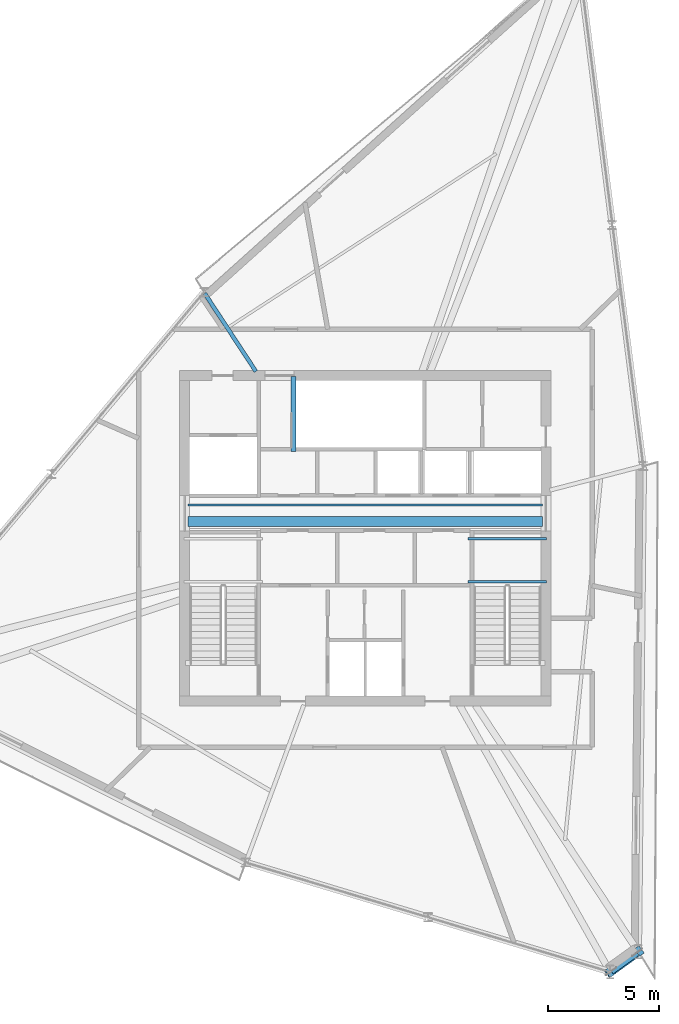
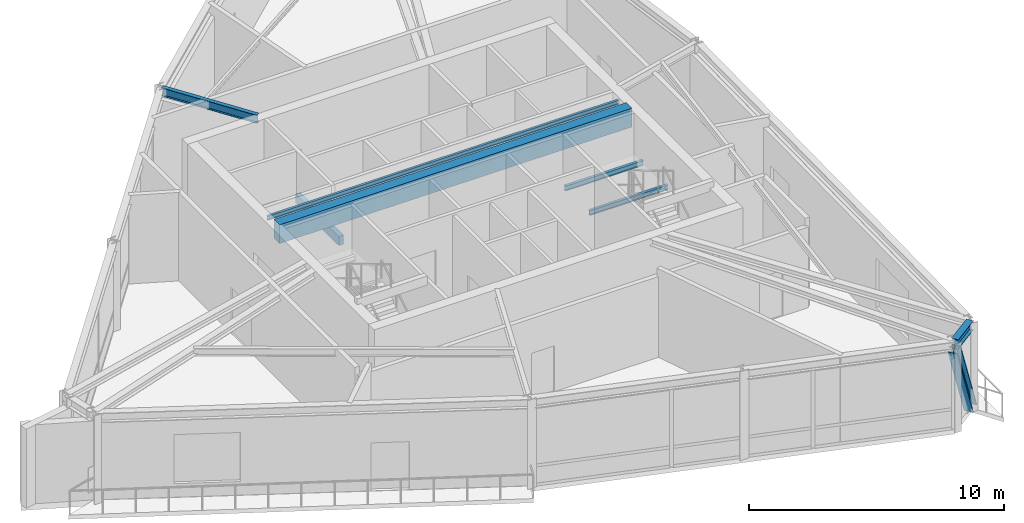
# One storey, part 8 of 23: 7 beams, 1 member.
"""IFC4 building model written with IfcOpenShell, lengths in metres."""

from ifc_helpers import new_model, si_unit, direction, frame, origin, origin_2d, place, context, subcontext, project, spatial, rectangle, i_section, extrude, source, transform, mapped, material, material_profile, profile_set, type_object, element, save


model = new_model("IFC4")

# Units and contexts
model_context = context("Model", 3, precision=1e-05, world=origin(), true_north=direction((0.0, 1.0)))
body_context = subcontext(model_context, "Body", "Model", "MODEL_VIEW")
ifc_project = project(units=[si_unit("LENGTHUNIT", "METRE"), si_unit("AREAUNIT", "SQUARE_METRE"), si_unit("VOLUMEUNIT", "CUBIC_METRE"), si_unit("PLANEANGLEUNIT", "RADIAN"), si_unit("MASSUNIT", "GRAM", prefix="KILO")], contexts=[model_context])

# Site, building, storey
site_placement = place(None, origin())
site = spatial("IfcSite", under=ifc_project, at=site_placement, CompositionType="ELEMENT")
building_placement = place(site_placement, origin())
building = spatial("IfcBuilding", under=site, at=building_placement, Name="Olszyna Solenne Hotel", CompositionType="ELEMENT")
storey_placement = place(building_placement, frame((0.0, 0.0, 290.5)))
storey = spatial("IfcBuildingStorey", under=building, at=storey_placement, Name="L77", CompositionType="ELEMENT", Elevation=290.5)

# Beams
ifc_material_1 = material(Name="Steel S355J2", Category="steel")
ifc_material_profile_1 = material_profile(ifc_material_1, i_section(OverallWidth=0.300048828125, OverallDepth=0.449951171875, WebThickness=0.013916015625, FlangeThickness=0.02587890625, at=origin_2d()), Name="HEB 450", Category="load-bearing")
ifc_profile_set_1 = profile_set([ifc_material_profile_1], Name="Steel S355J2")
beam_type_1 = type_object("IfcBeamType", Name="BM-S4", PredefinedType="BEAM", material=ifc_profile_set_1)
shared_shape_1 = source(origin(), body_context, "Body", "SweptSolid", [
    extrude(i_section(OverallWidth=0.300048828125, OverallDepth=0.449951171875, WebThickness=0.013916015625, FlangeThickness=0.02587890625, at=origin_2d()), origin(), (0.0, 0.0, 1.0), 1.43603515625),
])
beam_1_placement = place(storey_placement, frame((49.0654296875, 7.121826171875, 4.014892578125), z_axis=(0.811060086554, 0.584962850101, 0.0), x_axis=(-0.584962850101, 0.811060086554, 0.0)))
element("IfcBeam", 1, at=beam_1_placement, inside=storey, type_object=beam_type_1, Name="Perimeter spandrel beam BM-S4 B-L77-2260", PredefinedType="BEAM", context=body_context, shape_type="MappedRepresentation", body=[
    mapped(shared_shape_1, transform((0.0, 0.0, 0.0), x_axis=(1.0, 0.0, 0.0), y_axis=(0.0, 1.0, 0.0), z_axis=(0.0, 0.0, 1.0), scale=1.0)),
])
ifc_material_profile_2 = material_profile(ifc_material_1, i_section(OverallWidth=0.179931640625, OverallDepth=0.39990234375, WebThickness=0.008544921875, FlangeThickness=0.013427734375, at=origin_2d()), Name="IPE 400", Category="load-bearing")
ifc_profile_set_2 = profile_set([ifc_material_profile_2], Name="Steel S355J2")
beam_type_2 = type_object("IfcBeamType", Name="BM-F5", PredefinedType="BEAM", material=ifc_profile_set_2)
shared_shape_2 = source(origin(), body_context, "Body", "SweptSolid", [
    extrude(i_section(OverallWidth=0.179931640625, OverallDepth=0.39990234375, WebThickness=0.008544921875, FlangeThickness=0.013427734375, at=origin_2d()), origin(), (0.0, 0.0, 1.0), 4.197509765625),
])
beam_2_placement = place(storey_placement, frame((30.77294921875, 37.617919921875, 4.0400390625), z_axis=(0.548483645878, -0.836161282412, 0.0), x_axis=(0.836161282412, 0.548483645878, 0.0)))
element("IfcBeam", 2, at=beam_2_placement, inside=storey, type_object=beam_type_2, Name="Radial floor girder BM-F5 B-L77-2266", PredefinedType="BEAM", context=body_context, shape_type="MappedRepresentation", body=[
    mapped(shared_shape_2, transform((0.0, 0.0, 0.0), x_axis=(1.0, 0.0, 0.0), y_axis=(0.0, 1.0, 0.0), z_axis=(0.0, 0.0, 1.0), scale=1.0)),
])

# Member
ifc_material_2 = material(Name="Steel S460M", Category="steel")
ifc_material_profile_3 = material_profile(ifc_material_2, i_section(OverallWidth=0.40087890625, OverallDepth=0.39892578125, WebThickness=0.02197265625, FlangeThickness=0.034423828125, at=origin_2d()), Name="HD 400x314", Category="load-bearing")
ifc_profile_set_3 = profile_set([ifc_material_profile_3], Name="Steel S460M")
member_type = type_object("IfcMemberType", Name="BR-T3", PredefinedType="BRACE", material=ifc_profile_set_3)
shared_shape_3 = source(origin(), body_context, "Body", "SweptSolid", [
    extrude(i_section(OverallWidth=0.40087890625, OverallDepth=0.39892578125, WebThickness=0.02197265625, FlangeThickness=0.034423828125, at=origin_2d()), origin(), (0.0, 0.0, 1.0), 4.09619140625),
])
member_placement = place(storey_placement, frame((50.27880859375, 7.9970703125, 0.010009765625), z_axis=(-0.308089858938, -0.222201391782, 0.925044420723), x_axis=(0.584957636195, -0.811063846967, 0.0)))
element("IfcMember", 3, at=member_placement, inside=storey, type_object=member_type, Name="Perimeter braced-tube diagonal BR-T3 BR-L77-3", PredefinedType="BRACE", context=body_context, shape_type="MappedRepresentation", body=[
    mapped(shared_shape_3, transform((0.0, 0.0, 0.0), x_axis=(1.0, 0.0, 0.0), y_axis=(0.0, 1.0, 0.0), z_axis=(0.0, 0.0, 1.0), scale=1.0)),
])

# Beams
ifc_material_3 = material(Name="Concrete C50/60", Category="concrete")
ifc_material_profile_4 = material_profile(ifc_material_3, rectangle(XDim=0.449951171875, YDim=0.89990234375, at=origin_2d()), Name="RC 900x450", Category="load-bearing")
ifc_profile_set_4 = profile_set([ifc_material_profile_4], Name="Concrete C50/60")
beam_type_3 = type_object("IfcBeamType", Name="CB-01", PredefinedType="LINTEL", material=ifc_profile_set_4)
shared_shape_4 = source(origin(), body_context, "Body", "SweptSolid", [
    extrude(rectangle(XDim=0.449951171875, YDim=0.89990234375, at=origin_2d()), origin(), (0.0, 0.0, 1.0), 15.9599609375),
])
beam_3_placement = place(storey_placement, frame((30.02001953125, 27.35009765625, 3.7900390625), z_axis=(1.0, 0.0, 0.0), x_axis=(0.0, 1.0, 0.0)))
element("IfcBeam", 4, at=beam_3_placement, inside=storey, type_object=beam_type_3, Name="Core coupling lintel beam CB-01 L77", PredefinedType="LINTEL", context=body_context, shape_type="MappedRepresentation", body=[
    mapped(shared_shape_4, transform((0.0, 0.0, 0.0), x_axis=(1.0, 0.0, 0.0), y_axis=(0.0, 1.0, 0.0), z_axis=(0.0, 0.0, 1.0), scale=1.0)),
])
ifc_material_profile_5 = material_profile(ifc_material_1, i_section(OverallWidth=0.10009765625, OverallDepth=0.199951171875, WebThickness=0.005615234375, FlangeThickness=0.008544921875, at=origin_2d()), Name="IPE 200", Category="load-bearing")
ifc_profile_set_5 = profile_set([ifc_material_profile_5], Name="Steel S355J2")
beam_type_4 = type_object("IfcBeamType", Name="LN-01", PredefinedType="LINTEL", material=ifc_profile_set_5)
shared_shape_5 = source(origin(), body_context, "Body", "SweptSolid", [
    extrude(i_section(OverallWidth=0.10009765625, OverallDepth=0.199951171875, WebThickness=0.005615234375, FlangeThickness=0.008544921875, at=origin_2d()), origin(), (0.0, 0.0, 1.0), 15.9599609375),
])
beam_4_placement = place(storey_placement, frame((30.02001953125, 28.10009765625, 3.989990234375), z_axis=(1.0, 0.0, 0.0), x_axis=(0.0, 1.0, 0.0)))
element("IfcBeam", 5, at=beam_4_placement, inside=storey, type_object=beam_type_4, Name="Opening steel lintel LN-01 L77", PredefinedType="LINTEL", context=body_context, shape_type="MappedRepresentation", body=[
    mapped(shared_shape_5, transform((0.0, 0.0, 0.0), x_axis=(1.0, 0.0, 0.0), y_axis=(0.0, 1.0, 0.0), z_axis=(0.0, 0.0, 1.0), scale=1.0)),
])
ifc_material_profile_6 = material_profile(ifc_material_1, i_section(OverallWidth=0.1201171875, OverallDepth=0.239990234375, WebThickness=0.006103515625, FlangeThickness=0.009765625, at=origin_2d()), Name="IPE 240", Category="load-bearing")
ifc_profile_set_6 = profile_set([ifc_material_profile_6], Name="Steel S355J2")
beam_type_5 = type_object("IfcBeamType", Name="JS-03", PredefinedType="JOIST", material=ifc_profile_set_6)
shared_shape_6 = source(origin(), body_context, "Body", "SweptSolid", [
    extrude(i_section(OverallWidth=0.1201171875, OverallDepth=0.239990234375, WebThickness=0.006103515625, FlangeThickness=0.009765625, at=origin_2d()), origin(), (0.0, 0.0, 1.0), 3.539794921875),
])
for number, where, z_axis, x_axis, name in (
    (6, (46.159912109375, 24.64990234375, 1.925048828125), (-1.0, 0.0, 0.0), (0.0, -1.0, 0.0), "Stair landing support beam JS-03 SLB-ST2-0399"),
    (7, (46.159912109375, 26.580078125, 1.925048828125), (-1.0, 0.0, 0.0), (0.0, -1.0, 0.0), "Stair landing support beam JS-03 SLB-ST2-0400"),
):
    element("IfcBeam", number, at=place(storey_placement, frame(where, z_axis=z_axis, x_axis=x_axis)), inside=storey, type_object=beam_type_5, Name=name, PredefinedType="JOIST", context=body_context, shape_type="MappedRepresentation", body=[
        mapped(shared_shape_6, transform((0.0, 0.0, 0.0), x_axis=(1.0, 0.0, 0.0), y_axis=(0.0, 1.0, 0.0), z_axis=(0.0, 0.0, 1.0), scale=1.0)),
    ])
ifc_material_profile_7 = material_profile(ifc_material_3, rectangle(XDim=0.219970703125, YDim=0.43994140625, at=origin_2d()), Name="RC 220x440", Category="load-bearing")
ifc_profile_set_7 = profile_set([ifc_material_profile_7], Name="Concrete C50/60")
beam_type_6 = type_object("IfcBeamType", Name="BM-ST1", PredefinedType="BEAM", material=ifc_profile_set_7)
shared_shape_7 = source(origin(), body_context, "Body", "SweptSolid", [
    extrude(rectangle(XDim=0.219970703125, YDim=0.43994140625, at=origin_2d()), origin(), (0.0, 0.0, 1.0), 3.3798828125),
])
beam_5_placement = place(storey_placement, frame((34.760009765625, 30.5, -0.205078125), z_axis=(0.0, 1.0, 0.0), x_axis=(-1.0, 0.0, 0.0)))
element("IfcBeam", 8, at=beam_5_placement, inside=storey, type_object=beam_type_6, Name="Concrete stair trimmer beam BM-ST1 SHB-ST3-0717", PredefinedType="BEAM", context=body_context, shape_type="MappedRepresentation", body=[
    mapped(shared_shape_7, transform((0.0, 0.0, 0.0), x_axis=(1.0, 0.0, 0.0), y_axis=(0.0, 1.0, 0.0), z_axis=(0.0, 0.0, 1.0), scale=1.0)),
])

save(model, "model.ifc")
